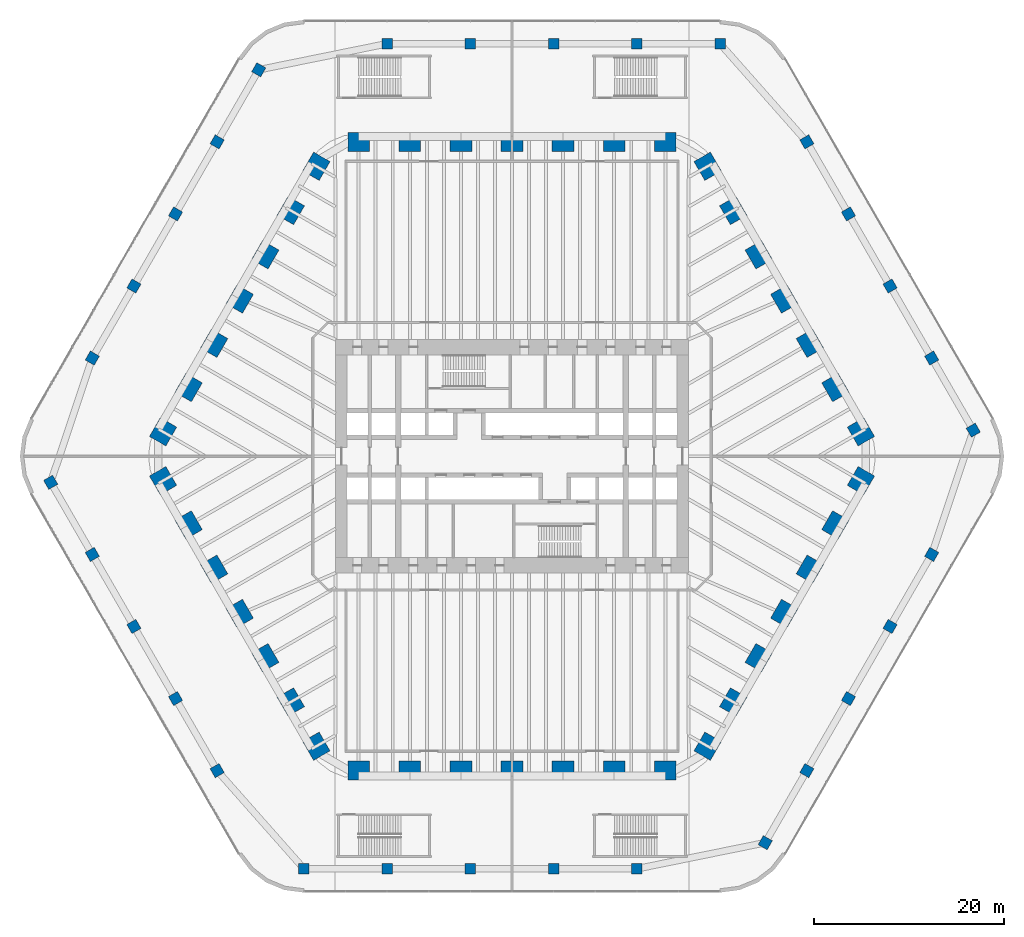
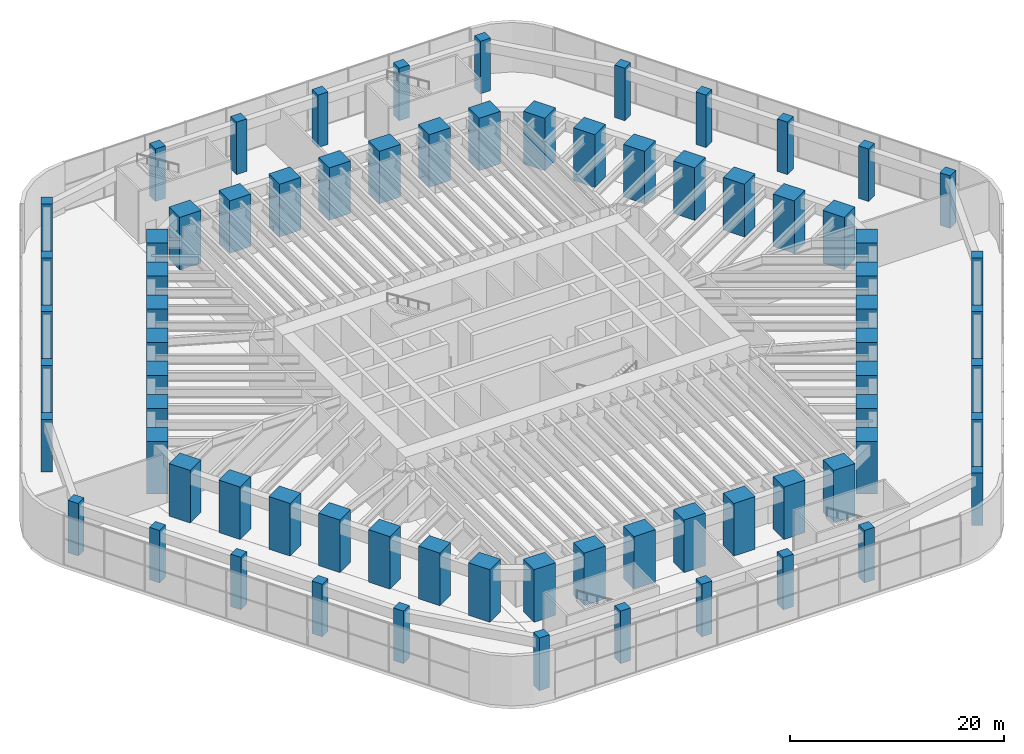
# One storey, part 1 of 31: 72 columns.
"""IFC4 building model written with IfcOpenShell, lengths in metres."""

from ifc_helpers import new_model, si_unit, direction, frame, origin, origin_2d, place, context, subcontext, project, spatial, rectangle, extrude, material, material_profile, profile_set, type_object, element, save


model = new_model("IFC4")

# Units and contexts
model_context = context("Model", 3, precision=1e-05, world=origin(), true_north=direction((0.0, 1.0)))
body_context = subcontext(model_context, "Body", "Model", "MODEL_VIEW")
ifc_project = project(units=[si_unit("LENGTHUNIT", "METRE"), si_unit("AREAUNIT", "SQUARE_METRE"), si_unit("VOLUMEUNIT", "CUBIC_METRE"), si_unit("PLANEANGLEUNIT", "RADIAN"), si_unit("MASSUNIT", "GRAM", prefix="KILO")], contexts=[model_context])

# Site, building, storey
site_placement = place(None, origin())
site = spatial("IfcSite", under=ifc_project, at=site_placement, CompositionType="ELEMENT")
building_placement = place(site_placement, origin())
building = spatial("IfcBuilding", under=site, at=building_placement, Name="Tarfa Lantern Tower", CompositionType="ELEMENT")
storey_placement = place(building_placement, frame((0.0, 0.0, 7.0)))
storey = spatial("IfcBuildingStorey", under=building, at=storey_placement, Name="L01", CompositionType="ELEMENT", Elevation=7.0)

# Columns
ifc_material = material(Name="Concrete C80/95", Category="concrete")
ifc_material_profile_1 = material_profile(ifc_material, rectangle(XDim=1.10009765625, YDim=1.10009765625, at=origin_2d()), Name="RC 1100x1100")
ifc_profile_set_1 = profile_set([ifc_material_profile_1], Name="Concrete C80/95")
column_type_1 = type_object("IfcColumnType", Name="PC2 RC 1100x1100", PredefinedType="COLUMN", material=ifc_profile_set_1)
for number, where, z_axis, x_axis, name in (
    (1, (48.641845703125, 2.75, 0.0), (0.0, 0.0, 1.0), (-0.5, 0.866025403784, 0.0), "Podium column NE0"),
    (2, (44.25390625, 10.35009765625, 0.0), (0.0, 0.0, 1.0), (-0.5, 0.866025403784, 0.0), "Podium column NE1"),
    (3, (39.865966796875, 17.949951171875, 0.0), (0.0, 0.0, 1.0), (-0.5, 0.866025403784, 0.0), "Podium column NE2"),
    (4, (35.478271484375, 25.550048828125, 0.0), (0.0, 0.0, 1.0), (-0.5, 0.866025403784, 0.0), "Podium column NE3"),
    (5, (31.09033203125, 33.14990234375, 0.0), (0.0, 0.0, 1.0), (-0.5, 0.866025403784, 0.0), "Podium column NE4"),
    (6, (21.939208984375, 43.5, 0.0), (0.0, 0.0, 1.0), (-1.0, 0.0, 0.0), "Podium column N0"),
    (7, (13.16357421875, 43.5, 0.0), (0.0, 0.0, 1.0), (-1.0, 0.0, 0.0), "Podium column N1"),
    (8, (4.387939453125, 43.5, 0.0), (0.0, 0.0, 1.0), (-1.0, 0.0, 0.0), "Podium column N2"),
    (9, (-4.387939453125, 43.5, 0.0), (0.0, 0.0, 1.0), (-1.0, 0.0, 0.0), "Podium column N3"),
    (10, (-13.16357421875, 43.5, 0.0), (0.0, 0.0, 1.0), (-1.0, 0.0, 0.0), "Podium column N4"),
    (11, (-26.702392578125, 40.75, 0.0), (0.0, 0.0, 1.0), (-0.5, -0.866025403784, 0.0), "Podium column NW0"),
    (12, (-31.09033203125, 33.14990234375, 0.0), (0.0, 0.0, 1.0), (-0.5, -0.866025403784, 0.0), "Podium column NW1"),
    (13, (-35.478271484375, 25.550048828125, 0.0), (0.0, 0.0, 1.0), (-0.5, -0.866025403784, 0.0), "Podium column NW2"),
    (14, (-39.865966796875, 17.949951171875, 0.0), (0.0, 0.0, 1.0), (-0.5, -0.866025403784, 0.0), "Podium column NW3"),
    (15, (-44.25390625, 10.35009765625, 0.0), (0.0, 0.0, 1.0), (-0.5, -0.866025403784, 0.0), "Podium column NW4"),
    (16, (-48.641845703125, -2.75, 0.0), (0.0, 0.0, 1.0), (0.5, -0.866025403784, 0.0), "Podium column SW0"),
    (17, (-44.25390625, -10.35009765625, 0.0), (0.0, 0.0, 1.0), (0.5, -0.866025403784, 0.0), "Podium column SW1"),
    (18, (-39.865966796875, -17.949951171875, 0.0), (0.0, 0.0, 1.0), (0.5, -0.866025403784, 0.0), "Podium column SW2"),
    (19, (-35.478271484375, -25.550048828125, 0.0), (0.0, 0.0, 1.0), (0.5, -0.866025403784, 0.0), "Podium column SW3"),
    (20, (-31.09033203125, -33.14990234375, 0.0), (0.0, 0.0, 1.0), (0.5, -0.866025403784, 0.0), "Podium column SW4"),
    (21, (-21.939208984375, -43.5, 0.0), (0.0, 0.0, 1.0), (1.0, 0.0, 0.0), "Podium column S0"),
    (22, (-13.16357421875, -43.5, 0.0), (0.0, 0.0, 1.0), (1.0, 0.0, 0.0), "Podium column S1"),
    (23, (-4.387939453125, -43.5, 0.0), (0.0, 0.0, 1.0), (1.0, 0.0, 0.0), "Podium column S2"),
    (24, (4.387939453125, -43.5, 0.0), (0.0, 0.0, 1.0), (1.0, 0.0, 0.0), "Podium column S3"),
    (25, (13.16357421875, -43.5, 0.0), (0.0, 0.0, 1.0), (1.0, 0.0, 0.0), "Podium column S4"),
    (26, (26.702392578125, -40.75, 0.0), (0.0, 0.0, 1.0), (0.5, 0.866025403784, 0.0), "Podium column SE0"),
    (27, (31.09033203125, -33.14990234375, 0.0), (0.0, 0.0, 1.0), (0.5, 0.866025403784, 0.0), "Podium column SE1"),
    (28, (35.478271484375, -25.550048828125, 0.0), (0.0, 0.0, 1.0), (0.5, 0.866025403784, 0.0), "Podium column SE2"),
    (29, (39.865966796875, -17.949951171875, 0.0), (0.0, 0.0, 1.0), (0.5, 0.866025403784, 0.0), "Podium column SE3"),
    (30, (44.25390625, -10.35009765625, 0.0), (0.0, 0.0, 1.0), (0.5, 0.866025403784, 0.0), "Podium column SE4"),
):
    element("IfcColumn", number, at=place(storey_placement, frame(where, z_axis=z_axis, x_axis=x_axis)), inside=storey, type_object=column_type_1, Name=name, PredefinedType="COLUMN", context=body_context, shape_type="SweptSolid", body=[
        extrude(rectangle(XDim=1.10009765625, YDim=1.10009765625, at=origin_2d()), origin(), (0.0, 0.0, 1.0), 6.0),
    ])
ifc_material_profile_2 = material_profile(ifc_material, rectangle(XDim=2.300048828125, YDim=2.0, at=origin_2d()), Name="RC 2300x2000")
ifc_profile_set_2 = profile_set([ifc_material_profile_2], Name="Concrete C80/95")
column_type_2 = type_object("IfcColumnType", Name="TC1 RC 2300x2000", PredefinedType="COLUMN", material=ifc_profile_set_2)
for number, where, z_axis, x_axis, name in (
    (31, (36.791748046875, 2.574951171875, 0.0), (0.0, 0.0, 1.0), (-0.5, 0.866025403784, 0.0), "Tube column NE0"),
    (32, (34.097412109375, 7.24169921875, 0.0), (0.0, 0.0, 1.0), (-0.5, 0.866025403784, 0.0), "Tube column NE1"),
    (33, (31.403076171875, 11.908447265625, 0.0), (0.0, 0.0, 1.0), (-0.5, 0.866025403784, 0.0), "Tube column NE2"),
    (34, (28.708740234375, 16.574951171875, 0.0), (0.0, 0.0, 1.0), (-0.5, 0.866025403784, 0.0), "Tube column NE3"),
    (35, (26.014404296875, 21.24169921875, 0.0), (0.0, 0.0, 1.0), (-0.5, 0.866025403784, 0.0), "Tube column NE4"),
    (36, (23.320068359375, 25.908447265625, 0.0), (0.0, 0.0, 1.0), (-0.5, 0.866025403784, 0.0), "Tube column NE5"),
    (37, (20.625732421875, 30.574951171875, 0.0), (0.0, 0.0, 1.0), (-0.5, 0.866025403784, 0.0), "Tube column NE6"),
    (38, (16.165771484375, 33.14990234375, 0.0), (0.0, 0.0, 1.0), (-1.0, 0.0, 0.0), "Tube column N0"),
    (39, (10.777099609375, 33.14990234375, 0.0), (0.0, 0.0, 1.0), (-1.0, 0.0, 0.0), "Tube column N1"),
    (40, (5.388671875, 33.14990234375, 0.0), (0.0, 0.0, 1.0), (-1.0, 0.0, 0.0), "Tube column N2"),
    (41, (0.0, 33.14990234375, 0.0), (0.0, 0.0, 1.0), (-1.0, 0.0, 0.0), "Tube column N3"),
    (42, (-5.388671875, 33.14990234375, 0.0), (0.0, 0.0, 1.0), (-1.0, 0.0, 0.0), "Tube column N4"),
    (43, (-10.777099609375, 33.14990234375, 0.0), (0.0, 0.0, 1.0), (-1.0, 0.0, 0.0), "Tube column N5"),
    (44, (-16.165771484375, 33.14990234375, 0.0), (0.0, 0.0, 1.0), (-1.0, 0.0, 0.0), "Tube column N6"),
    (45, (-20.625732421875, 30.574951171875, 0.0), (0.0, 0.0, 1.0), (-0.5, -0.866025403784, 0.0), "Tube column NW0"),
    (46, (-23.320068359375, 25.908447265625, 0.0), (0.0, 0.0, 1.0), (-0.5, -0.866025403784, 0.0), "Tube column NW1"),
    (47, (-26.014404296875, 21.24169921875, 0.0), (0.0, 0.0, 1.0), (-0.5, -0.866025403784, 0.0), "Tube column NW2"),
    (48, (-28.708740234375, 16.574951171875, 0.0), (0.0, 0.0, 1.0), (-0.5, -0.866025403784, 0.0), "Tube column NW3"),
    (49, (-31.403076171875, 11.908447265625, 0.0), (0.0, 0.0, 1.0), (-0.5, -0.866025403784, 0.0), "Tube column NW4"),
    (50, (-34.097412109375, 7.24169921875, 0.0), (0.0, 0.0, 1.0), (-0.5, -0.866025403784, 0.0), "Tube column NW5"),
    (51, (-36.791748046875, 2.574951171875, 0.0), (0.0, 0.0, 1.0), (-0.5, -0.866025403784, 0.0), "Tube column NW6"),
    (52, (-36.791748046875, -2.574951171875, 0.0), (0.0, 0.0, 1.0), (0.5, -0.866025403784, 0.0), "Tube column SW0"),
    (53, (-34.097412109375, -7.24169921875, 0.0), (0.0, 0.0, 1.0), (0.5, -0.866025403784, 0.0), "Tube column SW1"),
    (54, (-31.403076171875, -11.908447265625, 0.0), (0.0, 0.0, 1.0), (0.5, -0.866025403784, 0.0), "Tube column SW2"),
    (55, (-28.708740234375, -16.574951171875, 0.0), (0.0, 0.0, 1.0), (0.5, -0.866025403784, 0.0), "Tube column SW3"),
    (56, (-26.014404296875, -21.24169921875, 0.0), (0.0, 0.0, 1.0), (0.5, -0.866025403784, 0.0), "Tube column SW4"),
    (57, (-23.320068359375, -25.908447265625, 0.0), (0.0, 0.0, 1.0), (0.5, -0.866025403784, 0.0), "Tube column SW5"),
    (58, (-20.625732421875, -30.574951171875, 0.0), (0.0, 0.0, 1.0), (0.5, -0.866025403784, 0.0), "Tube column SW6"),
    (59, (-16.165771484375, -33.14990234375, 0.0), (0.0, 0.0, 1.0), (1.0, 0.0, 0.0), "Tube column S0"),
    (60, (-10.777099609375, -33.14990234375, 0.0), (0.0, 0.0, 1.0), (1.0, 0.0, 0.0), "Tube column S1"),
    (61, (-5.388671875, -33.14990234375, 0.0), (0.0, 0.0, 1.0), (1.0, 0.0, 0.0), "Tube column S2"),
    (62, (0.0, -33.14990234375, 0.0), (0.0, 0.0, 1.0), (1.0, 0.0, 0.0), "Tube column S3"),
    (63, (5.388671875, -33.14990234375, 0.0), (0.0, 0.0, 1.0), (1.0, 0.0, 0.0), "Tube column S4"),
    (64, (10.777099609375, -33.14990234375, 0.0), (0.0, 0.0, 1.0), (1.0, 0.0, 0.0), "Tube column S5"),
    (65, (16.165771484375, -33.14990234375, 0.0), (0.0, 0.0, 1.0), (1.0, 0.0, 0.0), "Tube column S6"),
    (66, (20.625732421875, -30.574951171875, 0.0), (0.0, 0.0, 1.0), (0.5, 0.866025403784, 0.0), "Tube column SE0"),
    (67, (23.320068359375, -25.908447265625, 0.0), (0.0, 0.0, 1.0), (0.5, 0.866025403784, 0.0), "Tube column SE1"),
    (68, (26.014404296875, -21.24169921875, 0.0), (0.0, 0.0, 1.0), (0.5, 0.866025403784, 0.0), "Tube column SE2"),
    (69, (28.708740234375, -16.574951171875, 0.0), (0.0, 0.0, 1.0), (0.5, 0.866025403784, 0.0), "Tube column SE3"),
    (70, (31.403076171875, -11.908447265625, 0.0), (0.0, 0.0, 1.0), (0.5, 0.866025403784, 0.0), "Tube column SE4"),
    (71, (34.097412109375, -7.24169921875, 0.0), (0.0, 0.0, 1.0), (0.5, 0.866025403784, 0.0), "Tube column SE5"),
    (72, (36.791748046875, -2.574951171875, 0.0), (0.0, 0.0, 1.0), (0.5, 0.866025403784, 0.0), "Tube column SE6"),
):
    element("IfcColumn", number, at=place(storey_placement, frame(where, z_axis=z_axis, x_axis=x_axis)), inside=storey, type_object=column_type_2, Name=name, PredefinedType="COLUMN", context=body_context, shape_type="SweptSolid", body=[
        extrude(rectangle(XDim=2.300048828125, YDim=2.0, at=origin_2d()), origin(), (0.0, 0.0, 1.0), 6.0),
    ])

save(model, "model.ifc")
